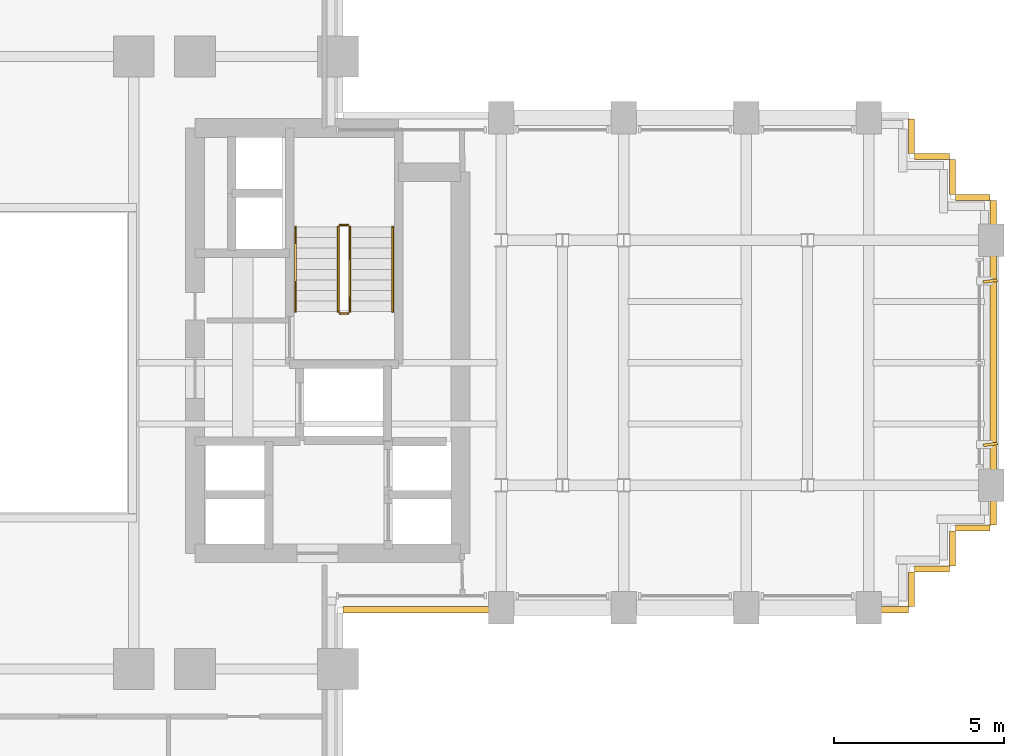
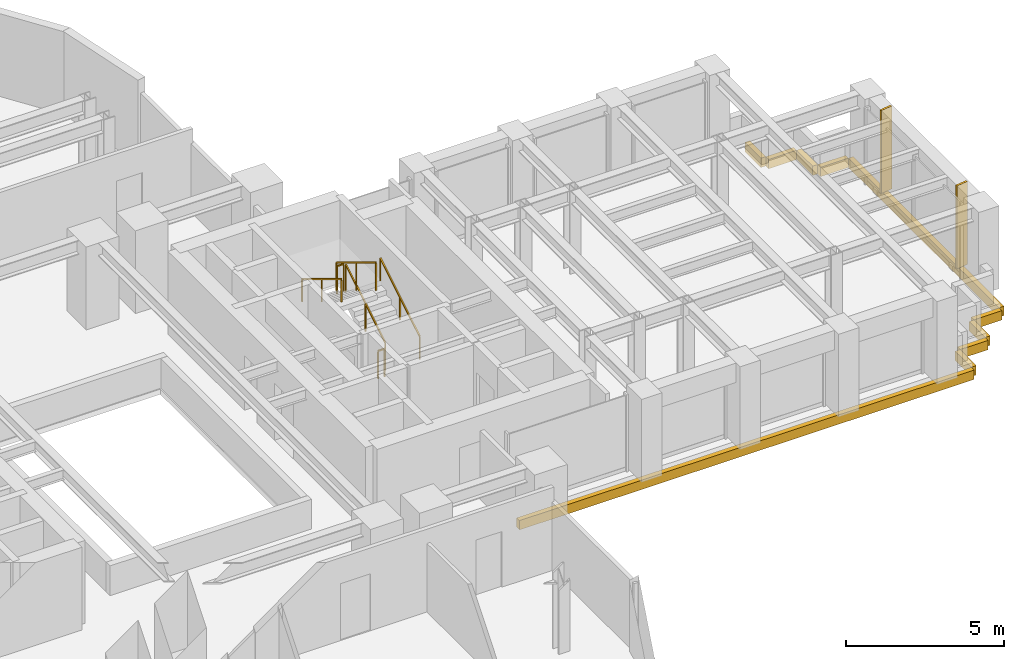
# One storey, part 15 of 16: 10 coverings, 6 railings, 2 shading devices.
"""IFC4 building model written with IfcOpenShell, lengths in metres."""

from ifc_helpers import new_model, si_unit, direction, frame, origin, origin_2d, place, context, subcontext, project, spatial, rectangle, extrude, source, transform, mapped, material, layer, layer_set, type_object, element, save


model = new_model("IFC4")

# Units and contexts
model_context = context("Model", 3, precision=1e-05, world=origin(), true_north=direction((0.0, 1.0)))
body_context = subcontext(model_context, "Body", "Model", "MODEL_VIEW")
ifc_project = project(units=[si_unit("LENGTHUNIT", "METRE"), si_unit("AREAUNIT", "SQUARE_METRE"), si_unit("VOLUMEUNIT", "CUBIC_METRE"), si_unit("PLANEANGLEUNIT", "RADIAN"), si_unit("MASSUNIT", "GRAM", prefix="KILO")], contexts=[model_context])

# Site, building, storey
site_placement = place(None, origin())
site = spatial("IfcSite", under=ifc_project, at=site_placement, CompositionType="ELEMENT")
building_placement = place(site_placement, origin())
building = spatial("IfcBuilding", under=site, at=building_placement, Name="Keilestroom Media Tower", CompositionType="ELEMENT")
storey_placement = place(building_placement, frame((0.0, 0.0, 71.39990234375)))
storey = spatial("IfcBuildingStorey", under=building, at=storey_placement, Name="L18", CompositionType="ELEMENT", Elevation=71.39990234375)

# Railings
ifc_material_1 = material(Name="Brushed Stainless Steel 1.4301", Category="steel")
railing_type_1 = type_object("IfcRailingType", Name="Stair-Pitch-Handrail-920", PredefinedType="HANDRAIL", material=ifc_material_1)
railing_1_placement = place(storey_placement, frame((11.2099609375, 1.5, 0.18896484375)))
element("IfcRailing", 1, at=railing_1_placement, inside=storey, type_object=railing_type_1, Name="L18 ST-2 stair handrail 1", PredefinedType="HANDRAIL", context=body_context, shape_type="SweptSolid", body=[
    extrude(rectangle(XDim=0.048095703125, YDim=0.048095703125, at=origin_2d()), frame((0.0, 0.0, 0.8759765625), z_axis=(0.0, 0.855433747314, 0.517912255074), x_axis=(-1.0, 0.0, 0.0)), (0.0, 0.0, 1.0), 2.91796875),
    extrude(rectangle(XDim=0.0419921875, YDim=0.0419921875, at=origin_2d()), origin(), (0.0, 0.0, 1.0), 0.84375),
    extrude(rectangle(XDim=0.0419921875, YDim=0.0419921875, at=origin_2d()), frame((0.0, 1.248046875, 0.755615234375)), (0.0, 0.0, 1.0), 0.84375),
    extrude(rectangle(XDim=0.0419921875, YDim=0.0419921875, at=origin_2d()), frame((0.0, 2.49609375, 1.51123046875)), (0.0, 0.0, 1.0), 0.84375),
])
railing_2_placement = place(storey_placement, frame((8.35009765625, 3.99609375, 1.888916015625)))
element("IfcRailing", 2, at=railing_2_placement, inside=storey, type_object=railing_type_1, Name="L18 ST-2 stair handrail 2", PredefinedType="HANDRAIL", context=body_context, shape_type="SweptSolid", body=[
    extrude(rectangle(XDim=0.048095703125, YDim=0.048095703125, at=origin_2d()), frame((0.0, 0.0, 0.8759765625), z_axis=(0.0, -0.855433747314, 0.517912255074), x_axis=(1.0, 0.0, 0.0)), (0.0, 0.0, 1.0), 2.91796875),
    extrude(rectangle(XDim=0.0419921875, YDim=0.0419921875, at=origin_2d()), origin(), (0.0, 0.0, 1.0), 0.84375),
    extrude(rectangle(XDim=0.0419921875, YDim=0.0419921875, at=origin_2d()), frame((0.0, -1.248046875, 0.755615234375)), (0.0, 0.0, 1.0), 0.84375),
    extrude(rectangle(XDim=0.0419921875, YDim=0.0419921875, at=origin_2d()), frame((0.0, -2.49609375, 1.51123046875)), (0.0, 0.0, 1.0), 0.84375),
])
ifc_material_2 = material(Name="Painted Steel Balustrade", Category="steel")
railing_type_2 = type_object("IfcRailingType", Name="Stair-Well-And-Landing-Guard-1100", PredefinedType="GUARDRAIL", material=ifc_material_2)
railing_3_placement = place(storey_placement, frame((9.949951171875, 1.5, 0.18896484375)))
element("IfcRailing", 3, at=railing_3_placement, inside=storey, type_object=railing_type_2, Name="L18 ST-2 stair guard 1", PredefinedType="GUARDRAIL", context=body_context, shape_type="SweptSolid", body=[
    extrude(rectangle(XDim=0.048095703125, YDim=0.048095703125, at=origin_2d()), frame((0.0, 0.0, 1.076171875), z_axis=(0.0, 0.855433747314, 0.517912255074), x_axis=(-1.0, 0.0, 0.0)), (0.0, 0.0, 1.0), 2.91796875),
    extrude(rectangle(XDim=0.0419921875, YDim=0.0419921875, at=origin_2d()), origin(), (0.0, 0.0, 1.0), 1.0439453125),
    extrude(rectangle(XDim=0.0419921875, YDim=0.0419921875, at=origin_2d()), frame((0.0, 1.248046875, 0.755615234375)), (0.0, 0.0, 1.0), 1.0439453125),
    extrude(rectangle(XDim=0.0419921875, YDim=0.0419921875, at=origin_2d()), frame((0.0, 2.49609375, 1.51123046875)), (0.0, 0.0, 1.0), 1.0439453125),
])
railing_4_placement = place(storey_placement, frame((9.89990234375, 4.0458984375, 1.7001953125)))
element("IfcRailing", 4, at=railing_4_placement, inside=storey, type_object=railing_type_2, Name="L18 ST-2 stair guard 2", PredefinedType="GUARDRAIL", context=body_context, shape_type="SweptSolid", body=[
    extrude(rectangle(XDim=0.048095703125, YDim=0.048095703125, at=origin_2d()), frame((0.0, 0.0, 1.076171875), z_axis=(-1.0, 0.0, 0.0), x_axis=(0.0, -1.0, 0.0)), (0.0, 0.0, 1.0), 0.239990234375),
    extrude(rectangle(XDim=0.0419921875, YDim=0.0419921875, at=origin_2d()), origin(), (0.0, 0.0, 1.0), 1.0439453125),
    extrude(rectangle(XDim=0.0419921875, YDim=0.0419921875, at=origin_2d()), frame((-0.239990234375, 0.0, 0.0)), (0.0, 0.0, 1.0), 1.0439453125),
])
railing_5_placement = place(storey_placement, frame((9.610107421875, 3.99609375, 1.888916015625)))
element("IfcRailing", 5, at=railing_5_placement, inside=storey, type_object=railing_type_2, Name="L18 ST-2 stair guard 3", PredefinedType="GUARDRAIL", context=body_context, shape_type="SweptSolid", body=[
    extrude(rectangle(XDim=0.048095703125, YDim=0.048095703125, at=origin_2d()), frame((0.0, 0.0, 1.076171875), z_axis=(0.0, -0.855433747314, 0.517912255074), x_axis=(1.0, 0.0, 0.0)), (0.0, 0.0, 1.0), 2.91796875),
    extrude(rectangle(XDim=0.0419921875, YDim=0.0419921875, at=origin_2d()), origin(), (0.0, 0.0, 1.0), 1.0439453125),
    extrude(rectangle(XDim=0.0419921875, YDim=0.0419921875, at=origin_2d()), frame((0.0, -1.248046875, 0.755615234375)), (0.0, 0.0, 1.0), 1.0439453125),
    extrude(rectangle(XDim=0.0419921875, YDim=0.0419921875, at=origin_2d()), frame((0.0, -2.49609375, 1.51123046875)), (0.0, 0.0, 1.0), 1.0439453125),
])
railing_6_placement = place(storey_placement, frame((9.89990234375, 1.449951171875, 0.0)))
element("IfcRailing", 6, at=railing_6_placement, inside=storey, type_object=railing_type_2, Name="L18 ST-2 stair guard 4", PredefinedType="GUARDRAIL", context=body_context, shape_type="SweptSolid", body=[
    extrude(rectangle(XDim=0.048095703125, YDim=0.048095703125, at=origin_2d()), frame((0.0, 0.0, 1.076171875), z_axis=(-1.0, 0.0, 0.0), x_axis=(0.0, -1.0, 0.0)), (0.0, 0.0, 1.0), 0.239990234375),
    extrude(rectangle(XDim=0.0419921875, YDim=0.0419921875, at=origin_2d()), origin(), (0.0, 0.0, 1.0), 1.0439453125),
    extrude(rectangle(XDim=0.0419921875, YDim=0.0419921875, at=origin_2d()), frame((-0.239990234375, 0.0, 0.0)), (0.0, 0.0, 1.0), 1.0439453125),
])

# Shading devices
ifc_material_3 = material(Name="Bronze Anodised Aluminium", Category="aluminium")
shading_device_type = type_object("IfcShadingDeviceType", Name="Facade-Vertical-Sunshade-Fin-SHD-1", PredefinedType="USERDEFINED", material=ifc_material_3)
shared_shape_1 = source(origin(), body_context, "Body", "SweptSolid", [
    extrude(rectangle(XDim=0.419921875, YDim=0.080078125, at=origin_2d()), origin(), (0.0, 0.0, 1.0), 3.199951171875),
])
for number, where, z_axis, x_axis, name in (
    (7, (28.77001953125, -2.39990234375, 0.0), (0.0, 0.0, 1.0), (0.990533436751, 0.137271667431, 0.0), "L18 Twisting Sunshade Fin SHD-1 023"),
    (8, (28.77001953125, 2.39990234375, 0.0), (0.0, 0.0, 1.0), (0.990533436751, 0.137271667431, 0.0), "L18 Twisting Sunshade Fin SHD-1 024"),
):
    element("IfcShadingDevice", number, at=place(storey_placement, frame(where, z_axis=z_axis, x_axis=x_axis)), inside=storey, type_object=shading_device_type, Name=name, ObjectType="SUNSHADE", PredefinedType="USERDEFINED", context=body_context, shape_type="MappedRepresentation", body=[
        mapped(shared_shape_1, transform((0.0, 0.0, 0.0), x_axis=(1.0, 0.0, 0.0), y_axis=(0.0, 1.0, 0.0), z_axis=(0.0, 0.0, 1.0), scale=1.0)),
    ])

# Coverings
ifc_material_4 = material(Name="Precast concrete C40/50", Category="concrete")
ifc_layer = layer(ifc_material_4, 0.1201171875)
ifc_layer_set = layer_set([ifc_layer], Name="Precast concrete C40/50")
covering_type = type_object("IfcCoveringType", Name="Exterior-Precast-Spandrel-Cladding-Panel-120", PredefinedType="CLADDING", material=ifc_layer_set)
shared_shape_2 = source(origin(), body_context, "Body", "SweptSolid", [
    extrude(rectangle(XDim=1.02001953125, YDim=0.179931640625, at=origin_2d()), origin(), (0.0, 0.0, 1.0), 0.360107421875),
])
for number, where, z_axis, x_axis, name in (
    (9, (28.260009765625, -4.860107421875, -0.5400390625), (0.0, 0.0, 1.0), (-1.0, 0.0, 0.0), "L18 Precast Slab-Edge Fascia Cornice 01"),
    (10, (27.659912109375, -5.4599609375, -0.5400390625), (0.0, 0.0, 1.0), (0.0, -1.0, 0.0), "L18 Precast Slab-Edge Fascia Cornice 02"),
    (11, (27.06005859375, -6.06005859375, -0.5400390625), (0.0, 0.0, 1.0), (-1.0, 0.0, 0.0), "L18 Precast Slab-Edge Fascia Cornice 03"),
    (12, (26.4599609375, -6.659912109375, -0.5400390625), (0.0, 0.0, 1.0), (0.0, -1.0, 0.0), "L18 Precast Slab-Edge Fascia Cornice 04"),
    (13, (26.4599609375, 6.659912109375, -0.5400390625), (0.0, 0.0, 1.0), (0.0, -1.0, 0.0), "L18 Precast Slab-Edge Fascia Cornice 38"),
    (14, (27.06005859375, 6.06005859375, -0.5400390625), (0.0, 0.0, 1.0), (1.0, 0.0, 0.0), "L18 Precast Slab-Edge Fascia Cornice 39"),
    (15, (27.659912109375, 5.4599609375, -0.5400390625), (0.0, 0.0, 1.0), (0.0, -1.0, 0.0), "L18 Precast Slab-Edge Fascia Cornice 40"),
    (16, (28.260009765625, 4.860107421875, -0.5400390625), (0.0, 0.0, 1.0), (1.0, 0.0, 0.0), "L18 Precast Slab-Edge Fascia Cornice 41"),
):
    element("IfcCovering", number, at=place(storey_placement, frame(where, z_axis=z_axis, x_axis=x_axis)), inside=storey, type_object=covering_type, Name=name, PredefinedType="CLADDING", context=body_context, shape_type="MappedRepresentation", body=[
        mapped(shared_shape_2, transform((0.0, 0.0, 0.0), x_axis=(1.0, 0.0, 0.0), y_axis=(0.0, 1.0, 0.0), z_axis=(0.0, 0.0, 1.0), scale=1.0)),
    ])
shared_shape_3 = source(origin(), body_context, "Body", "SweptSolid", [
    extrude(rectangle(XDim=16.6201171875, YDim=0.179931640625, at=origin_2d()), origin(), (0.0, 0.0, 1.0), 0.360107421875),
])
covering_1_placement = place(storey_placement, frame((18.06005859375, -7.260009765625, -0.5400390625), z_axis=(0.0, 0.0, 1.0), x_axis=(-1.0, 0.0, 0.0)))
element("IfcCovering", 17, at=covering_1_placement, inside=storey, type_object=covering_type, Name="L18 Precast Slab-Edge Fascia Cornice 05", PredefinedType="CLADDING", context=body_context, shape_type="MappedRepresentation", body=[
    mapped(shared_shape_3, transform((0.0, 0.0, 0.0), x_axis=(1.0, 0.0, 0.0), y_axis=(0.0, 1.0, 0.0), z_axis=(0.0, 0.0, 1.0), scale=1.0)),
])
shared_shape_4 = source(origin(), body_context, "Body", "SweptSolid", [
    extrude(rectangle(XDim=9.5400390625, YDim=0.179931640625, at=origin_2d()), origin(), (0.0, 0.0, 1.0), 0.360107421875),
])
covering_2_placement = place(storey_placement, frame((28.860107421875, 0.0, -0.5400390625), z_axis=(0.0, 0.0, 1.0), x_axis=(0.0, -1.0, 0.0)))
element("IfcCovering", 18, at=covering_2_placement, inside=storey, type_object=covering_type, Name="L18 Precast Slab-Edge Fascia Cornice 42", PredefinedType="CLADDING", context=body_context, shape_type="MappedRepresentation", body=[
    mapped(shared_shape_4, transform((0.0, 0.0, 0.0), x_axis=(1.0, 0.0, 0.0), y_axis=(0.0, 1.0, 0.0), z_axis=(0.0, 0.0, 1.0), scale=1.0)),
])

save(model, "model.ifc")
